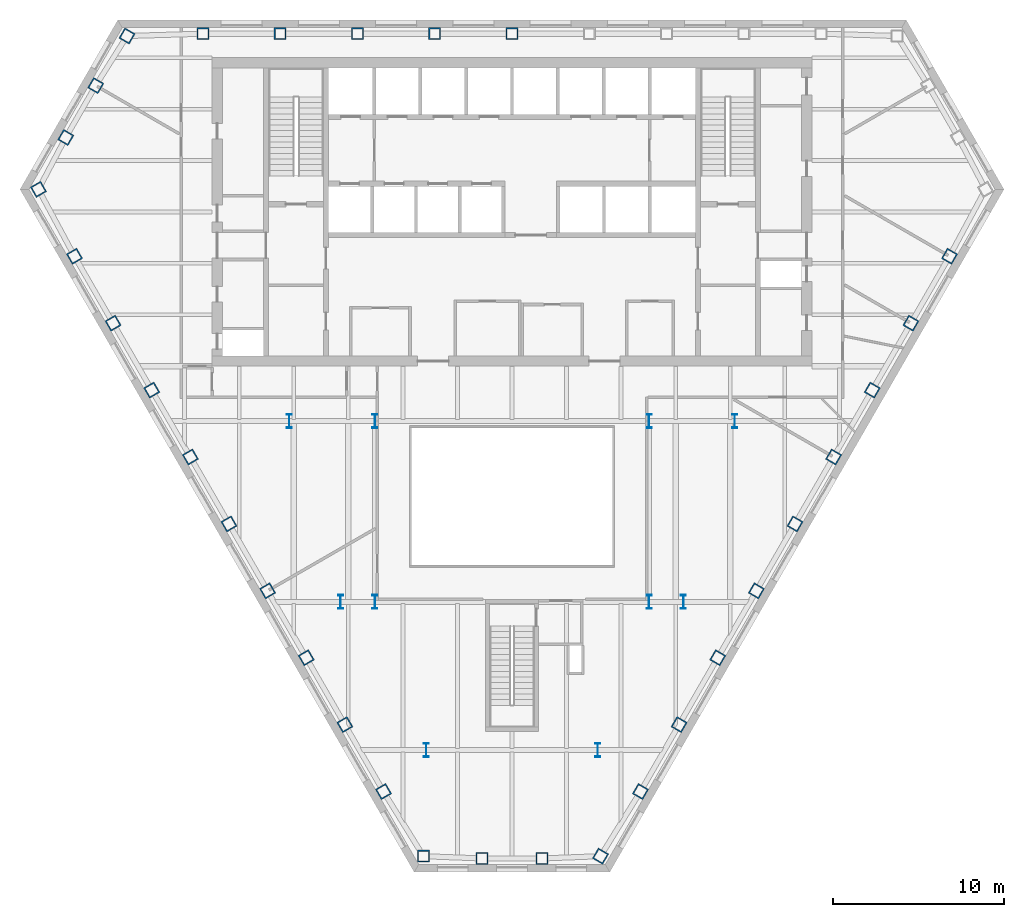
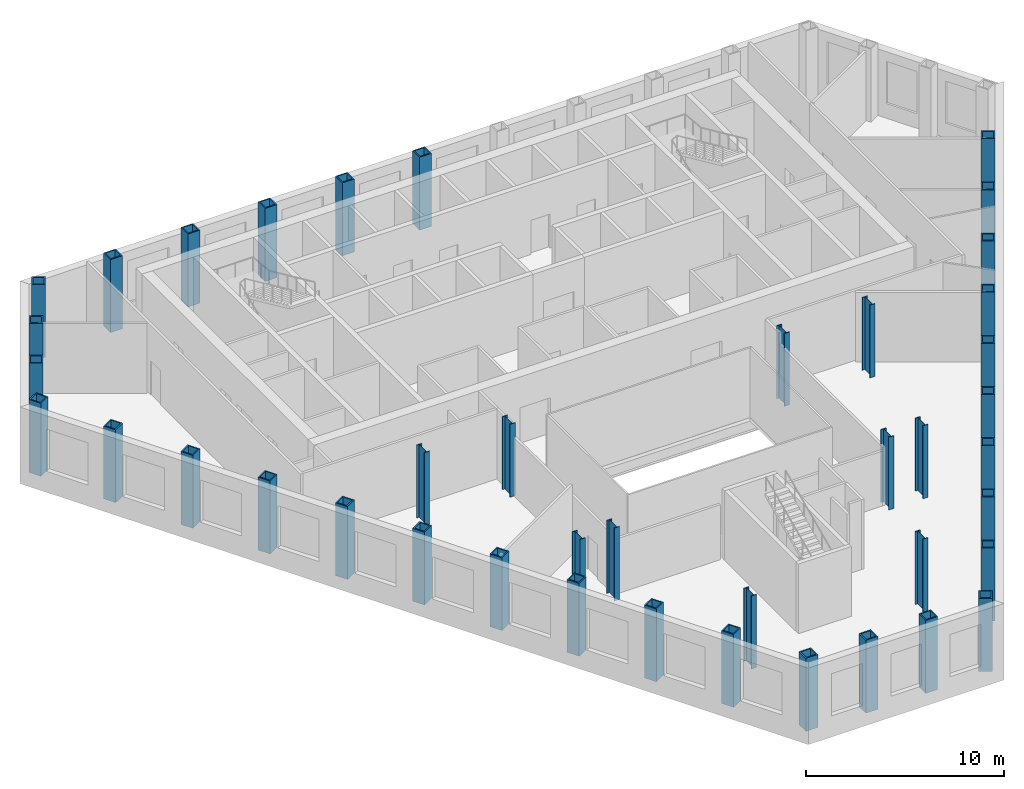
# One storey, part 1 of 10: 41 columns.
"""IFC4 building model written with IfcOpenShell, lengths in metres."""

from ifc_helpers import new_model, si_unit, direction, frame, origin, origin_2d, place, context, subcontext, project, spatial, hollow_rectangle, i_section, extrude, material, material_profile, profile_set, type_object, element, save


model = new_model("IFC4")

# Units and contexts
model_context = context("Model", 3, precision=1e-05, world=origin(), true_north=direction((0.0, 1.0)))
body_context = subcontext(model_context, "Body", "Model", "MODEL_VIEW")
ifc_project = project(units=[si_unit("LENGTHUNIT", "METRE"), si_unit("AREAUNIT", "SQUARE_METRE"), si_unit("VOLUMEUNIT", "CUBIC_METRE"), si_unit("PLANEANGLEUNIT", "RADIAN"), si_unit("MASSUNIT", "GRAM", prefix="KILO")], contexts=[model_context])

# Site, building, storey
site_placement = place(None, origin())
site = spatial("IfcSite", under=ifc_project, at=site_placement, CompositionType="ELEMENT")
building_placement = place(site_placement, origin())
building = spatial("IfcBuilding", under=site, at=building_placement, Name="Njiva Tower", CompositionType="ELEMENT")
storey_placement = place(building_placement, frame((0.0, 0.0, 55.8)))
storey = spatial("IfcBuildingStorey", under=building, at=storey_placement, Name="L11", CompositionType="ELEMENT", Elevation=55.8)

# Columns
ifc_material = material(Name="Steel S355 J2", Category="steel")
ifc_material_profile_1 = material_profile(ifc_material, hollow_rectangle(XDim=0.7, YDim=0.7, WallThickness=0.07, at=origin_2d()), Name="BOX 700x700x70")
ifc_profile_set_1 = profile_set([ifc_material_profile_1], Name="Steel S355 J2")
column_type_1 = type_object("IfcColumnType", Name="C5 Perimeter tube column BOX 700x700x70", PredefinedType="COLUMN", material=ifc_profile_set_1)
for number, where, z_axis, x_axis, name in (
    (1, (0.0, 19.4, 0.0), (0.0, 0.0, 1.0), (-1.0, 0.0, 0.0), "Perimeter tube column S03-C06"),
    (2, (-4.508, 19.4, 0.0), (0.0, 0.0, 1.0), (-1.0, 0.0, 0.0), "Perimeter tube column S03-C07"),
    (3, (-9.015, 19.4, 0.0), (0.0, 0.0, 1.0), (-1.0, 0.0, 0.0), "Perimeter tube column S03-C08"),
    (4, (-13.523, 19.4, 0.0), (0.0, 0.0, 1.0), (-1.0, 0.0, 0.0), "Perimeter tube column S03-C09"),
    (5, (-18.03, 19.4, 0.0), (0.0, 0.0, 1.0), (-1.0, 0.0, 0.0), "Perimeter tube column S03-C10"),
    (6, (-22.461, 19.267, 0.0), (0.0, 0.0, 1.0), (-0.5, -0.866025403784, 0.0), "Perimeter tube column S03-C11"),
    (7, (-24.286, 16.373, 0.0), (0.0, 0.0, 1.0), (-0.5, -0.866025403784, 0.0), "Perimeter tube column S03-C12"),
    (8, (-26.034, 13.346, 0.0), (0.0, 0.0, 1.0), (-0.5, -0.866025403784, 0.0), "Perimeter tube column S03-C13"),
    (9, (-27.628, 10.319, 0.0), (0.0, 0.0, 1.0), (0.5, -0.866025403784, 0.0), "Perimeter tube column S03-C14"),
    (10, (-25.527, 6.415, 0.0), (0.0, 0.0, 1.0), (0.5, -0.866025403784, 0.0), "Perimeter tube column S03-C15"),
    (11, (-23.274, 2.511, 0.0), (0.0, 0.0, 1.0), (0.5, -0.866025403784, 0.0), "Perimeter tube column S03-C16"),
    (12, (-21.02, -1.393, 0.0), (0.0, 0.0, 1.0), (0.5, -0.866025403784, 0.0), "Perimeter tube column S03-C17"),
    (13, (-18.766, -5.296, 0.0), (0.0, 0.0, 1.0), (0.5, -0.866025403784, 0.0), "Perimeter tube column S03-C18"),
    (14, (-16.512, -9.2, 0.0), (0.0, 0.0, 1.0), (0.5, -0.866025403784, 0.0), "Perimeter tube column S03-C19"),
    (15, (-14.258, -13.104, 0.0), (0.0, 0.0, 1.0), (0.5, -0.866025403784, 0.0), "Perimeter tube column S03-C20"),
    (16, (-12.005, -17.007, 0.0), (0.0, 0.0, 1.0), (0.5, -0.866025403784, 0.0), "Perimeter tube column S03-C21"),
    (17, (-9.751, -20.911, 0.0), (0.0, 0.0, 1.0), (0.5, -0.866025403784, 0.0), "Perimeter tube column S03-C22"),
    (18, (-7.497, -24.815, 0.0), (0.0, 0.0, 1.0), (0.5, -0.866025403784, 0.0), "Perimeter tube column S03-C23"),
    (19, (-5.166, -28.585, 0.0), (0.0, 0.0, 1.0), (1.0, 0.0, 0.0), "Perimeter tube column S03-C24"),
    (20, (-1.748, -28.719, 0.0), (0.0, 0.0, 1.0), (1.0, 0.0, 0.0), "Perimeter tube column S03-C25"),
    (21, (1.748, -28.719, 0.0), (0.0, 0.0, 1.0), (1.0, 0.0, 0.0), "Perimeter tube column S03-C26"),
    (22, (5.166, -28.585, 0.0), (0.0, 0.0, 1.0), (0.5, 0.866025403784, 0.0), "Perimeter tube column S03-C27"),
    (23, (7.497, -24.815, 0.0), (0.0, 0.0, 1.0), (0.5, 0.866025403784, 0.0), "Perimeter tube column S03-C28"),
    (24, (9.751, -20.911, 0.0), (0.0, 0.0, 1.0), (0.5, 0.866025403784, 0.0), "Perimeter tube column S03-C29"),
    (25, (12.005, -17.007, 0.0), (0.0, 0.0, 1.0), (0.5, 0.866025403784, 0.0), "Perimeter tube column S03-C30"),
    (26, (14.258, -13.104, 0.0), (0.0, 0.0, 1.0), (0.5, 0.866025403784, 0.0), "Perimeter tube column S03-C31"),
    (27, (16.512, -9.2, 0.0), (0.0, 0.0, 1.0), (0.5, 0.866025403784, 0.0), "Perimeter tube column S03-C32"),
    (28, (18.766, -5.296, 0.0), (0.0, 0.0, 1.0), (0.5, 0.866025403784, 0.0), "Perimeter tube column S03-C33"),
    (29, (21.02, -1.393, 0.0), (0.0, 0.0, 1.0), (0.5, 0.866025403784, 0.0), "Perimeter tube column S03-C34"),
    (30, (23.274, 2.511, 0.0), (0.0, 0.0, 1.0), (0.5, 0.866025403784, 0.0), "Perimeter tube column S03-C35"),
    (31, (25.527, 6.415, 0.0), (0.0, 0.0, 1.0), (0.5, 0.866025403784, 0.0), "Perimeter tube column S03-C36"),
):
    element("IfcColumn", number, at=place(storey_placement, frame(where, z_axis=z_axis, x_axis=x_axis)), inside=storey, type_object=column_type_1, Name=name, PredefinedType="COLUMN", context=body_context, shape_type="SweptSolid", body=[
        extrude(hollow_rectangle(XDim=0.7, YDim=0.7, WallThickness=0.07, at=origin_2d()), origin(), (0.0, 0.0, 1.0), 4.5),
    ])
ifc_material_profile_2 = material_profile(ifc_material, i_section(OverallWidth=0.303, OverallDepth=0.814, WebThickness=0.021, FlangeThickness=0.04, at=origin_2d()), Name="HEM 800")
ifc_profile_set_2 = profile_set([ifc_material_profile_2], Name="Steel S355 J2")
column_type_2 = type_object("IfcColumnType", Name="C6 Interior column HEM 800", PredefinedType="COLUMN", material=ifc_profile_set_2)
for number, where, z_axis, x_axis, name in (
    (32, (8.0, -3.2, 0.0), (0.0, 0.0, 1.0), (1.0, 0.0, 0.0), "Interior column S03-C40"),
    (33, (-8.0, -3.2, 0.0), (0.0, 0.0, 1.0), (1.0, 0.0, 0.0), "Interior column S03-C41"),
    (34, (8.0, -13.75, 0.0), (0.0, 0.0, 1.0), (1.0, 0.0, 0.0), "Interior column S03-C42"),
    (35, (-8.0, -13.75, 0.0), (0.0, 0.0, 1.0), (1.0, 0.0, 0.0), "Interior column S03-C43"),
    (36, (5.0, -22.4, 0.0), (0.0, 0.0, 1.0), (1.0, 0.0, 0.0), "Interior column S03-C44"),
    (37, (-5.0, -22.4, 0.0), (0.0, 0.0, 1.0), (1.0, 0.0, 0.0), "Interior column S03-C45"),
    (38, (13.0, -3.2, 0.0), (0.0, 0.0, 1.0), (1.0, 0.0, 0.0), "Interior column S03-C46"),
    (39, (-13.0, -3.2, 0.0), (0.0, 0.0, 1.0), (1.0, 0.0, 0.0), "Interior column S03-C47"),
    (40, (10.0, -13.75, 0.0), (0.0, 0.0, 1.0), (1.0, 0.0, 0.0), "Interior column S03-C48"),
    (41, (-10.0, -13.75, 0.0), (0.0, 0.0, 1.0), (1.0, 0.0, 0.0), "Interior column S03-C49"),
):
    element("IfcColumn", number, at=place(storey_placement, frame(where, z_axis=z_axis, x_axis=x_axis)), inside=storey, type_object=column_type_2, Name=name, PredefinedType="COLUMN", context=body_context, shape_type="SweptSolid", body=[
        extrude(i_section(OverallWidth=0.303, OverallDepth=0.814, WebThickness=0.021, FlangeThickness=0.04, at=origin_2d()), origin(), (0.0, 0.0, 1.0), 4.5),
    ])

save(model, "model.ifc")
